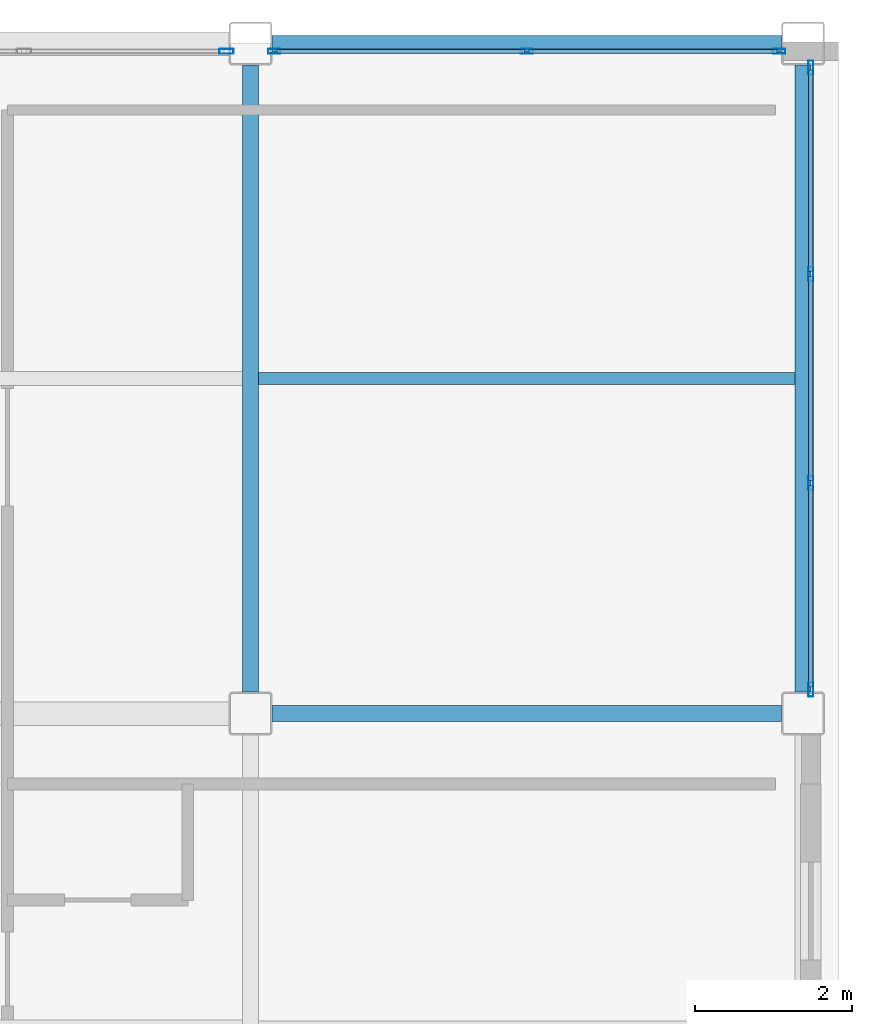
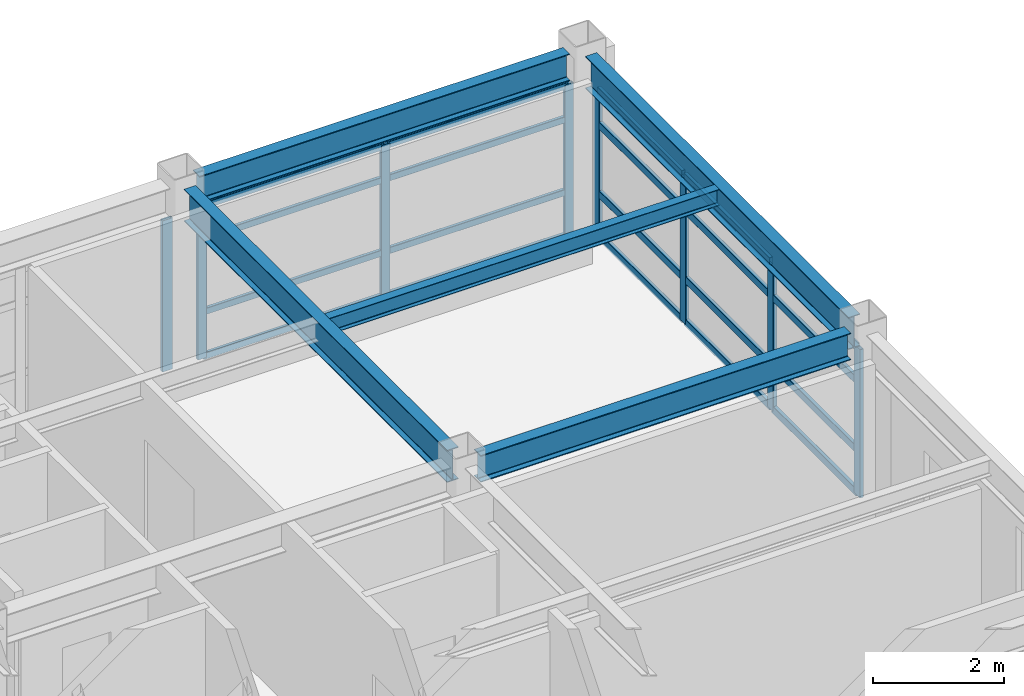
# One storey, part 20 of 38: 28 members, 5 beams, 3 elements without a shape of their own.
"""IFC4 building model written with IfcOpenShell, lengths in metres."""

from ifc_helpers import new_model, si_unit, direction, frame, origin, origin_2d, place, context, subcontext, project, spatial, hollow_rectangle, i_section, extrude, material, layer, layer_set, material_profile, profile_set, type_object, element, aggregate, save


model = new_model("IFC4")

# Units and contexts
model_context = context("Model", 3, precision=1e-05, world=origin(), true_north=direction((0.0, 1.0)))
body_context = subcontext(model_context, "Body", "Model", "MODEL_VIEW")
ifc_project = project(units=[si_unit("LENGTHUNIT", "METRE"), si_unit("AREAUNIT", "SQUARE_METRE"), si_unit("VOLUMEUNIT", "CUBIC_METRE"), si_unit("PLANEANGLEUNIT", "RADIAN"), si_unit("MASSUNIT", "GRAM", prefix="KILO")], contexts=[model_context])

# Site, building, storey
site_placement = place(None, origin())
site = spatial("IfcSite", under=ifc_project, at=site_placement, CompositionType="ELEMENT")
building_placement = place(site_placement, origin())
building = spatial("IfcBuilding", under=site, at=building_placement, Name="Kazehara Bluff Congress Hotel", CompositionType="ELEMENT")
storey_placement = place(building_placement, frame((0.0, 0.0, 24.60009765625)))
storey = spatial("IfcBuildingStorey", under=building, at=storey_placement, Name="L05", CompositionType="ELEMENT", Elevation=24.60009765625)

# Curtain wall, members
ifc_material_1 = material(Name="Anodised aluminium", Category="aluminium")
ifc_layer_1 = layer(ifc_material_1, 0.159912109375)
ifc_layer_set_1 = layer_set([ifc_layer_1], Name="Anodised aluminium")
curtain_wall_type_1 = type_object("IfcCurtainWallType", Name="TP-CW-173", PredefinedType="NOTDEFINED", material=ifc_layer_set_1)
curtain_wall_1_placement = place(storey_placement, origin())
curtain_wall_1 = element("IfcCurtainWall", 1, at=curtain_wall_1_placement, inside=storey, type_object=curtain_wall_type_1, Name="L05 curtain wall CW-173 CW-ENC-V5-L05-16402-10535", PredefinedType="NOTDEFINED")
ifc_material_2 = material(Name="Anodised aluminium", Category="aluminium")
ifc_material_profile_1 = material_profile(ifc_material_2, hollow_rectangle(XDim=0.06005859375, YDim=0.159912109375, WallThickness=0.00390625, InnerFilletRadius=0.00390625, OuterFilletRadius=0.008056640625, at=origin_2d()))
ifc_profile_set_1 = profile_set([ifc_material_profile_1], Name="Anodised aluminium")
member_type_1 = type_object("IfcMemberType", Name="TP-CWM-01", PredefinedType="MULLION", material=ifc_profile_set_1)
member_1_placement = place(storey_placement, frame((160.804931640625, 105.35009765625, 0.0), z_axis=(0.0, 0.0, 1.0), x_axis=(0.0, 1.0, 0.0)))
member_1 = element("IfcMember", 2, at=member_1_placement, type_object=member_type_1, Name="CW-173 mullion 1", PredefinedType="MULLION", context=body_context, shape_type="SweptSolid", body=[
    extrude(hollow_rectangle(XDim=0.06005859375, YDim=0.159912109375, WallThickness=0.00390625, InnerFilletRadius=0.00390625, OuterFilletRadius=0.008056640625, at=origin_2d()), origin(), (0.0, 0.0, 1.0), 2.85498046875),
])
member_2_placement = place(storey_placement, frame((164.02490234375, 105.35009765625, 0.0), z_axis=(0.0, 0.0, 1.0), x_axis=(0.0, 1.0, 0.0)))
member_2 = element("IfcMember", 3, at=member_2_placement, type_object=member_type_1, Name="CW-173 mullion 2", PredefinedType="MULLION", context=body_context, shape_type="SweptSolid", body=[
    extrude(hollow_rectangle(XDim=0.06005859375, YDim=0.159912109375, WallThickness=0.00390625, InnerFilletRadius=0.00390625, OuterFilletRadius=0.008056640625, at=origin_2d()), origin(), (0.0, 0.0, 1.0), 2.85498046875),
])
member_3_placement = place(storey_placement, frame((167.2451171875, 105.35009765625, 0.0), z_axis=(0.0, 0.0, 1.0), x_axis=(0.0, 1.0, 0.0)))
member_3 = element("IfcMember", 4, at=member_3_placement, type_object=member_type_1, Name="CW-173 mullion 3", PredefinedType="MULLION", context=body_context, shape_type="SweptSolid", body=[
    extrude(hollow_rectangle(XDim=0.06005859375, YDim=0.159912109375, WallThickness=0.00390625, InnerFilletRadius=0.00390625, OuterFilletRadius=0.008056640625, at=origin_2d()), origin(), (0.0, 0.0, 1.0), 2.85498046875),
])

ifc_material_3 = material(Name="Anodised aluminium", Category="aluminium")
ifc_layer_2 = layer(ifc_material_3, 0.159912109375)
ifc_layer_set_2 = layer_set([ifc_layer_2], Name="Anodised aluminium")
curtain_wall_type_2 = type_object("IfcCurtainWallType", Name="TP-CW-175", PredefinedType="NOTDEFINED", material=ifc_layer_set_2)
curtain_wall_2_placement = place(storey_placement, origin())
curtain_wall_2 = element("IfcCurtainWall", 5, at=curtain_wall_2_placement, inside=storey, type_object=curtain_wall_type_2, Name="L05 curtain wall CW-175 CW-ENC-V5-L05-16765-10118", PredefinedType="NOTDEFINED")
ifc_material_4 = material(Name="Anodised aluminium", Category="aluminium")
ifc_material_profile_2 = material_profile(ifc_material_4, hollow_rectangle(XDim=0.06494140625, YDim=0.179931640625, WallThickness=0.00390625, InnerFilletRadius=0.00390625, OuterFilletRadius=0.008056640625, at=origin_2d()))
ifc_profile_set_2 = profile_set([ifc_material_profile_2], Name="Anodised aluminium")
member_type_2 = type_object("IfcMemberType", Name="TP-CWM-02", PredefinedType="MULLION", material=ifc_profile_set_2)
member_4_placement = place(storey_placement, frame((167.64990234375, 105.142578125, 0.0), z_axis=(0.0, 0.0, 1.0), x_axis=(1.0, 0.0, 0.0)))
member_4 = element("IfcMember", 6, at=member_4_placement, type_object=member_type_2, Name="CW-175 mullion 1", PredefinedType="MULLION", context=body_context, shape_type="SweptSolid", body=[
    extrude(hollow_rectangle(XDim=0.06494140625, YDim=0.179931640625, WallThickness=0.00390625, InnerFilletRadius=0.00390625, OuterFilletRadius=0.008056640625, at=origin_2d()), origin(), (0.0, 0.0, 1.0), 2.7548828125),
])
member_5_placement = place(storey_placement, frame((167.64990234375, 102.50830078125, 0.0), z_axis=(0.0, 0.0, 1.0), x_axis=(1.0, 0.0, 0.0)))
member_5 = element("IfcMember", 7, at=member_5_placement, type_object=member_type_2, Name="CW-175 mullion 2", PredefinedType="MULLION", context=body_context, shape_type="SweptSolid", body=[
    extrude(hollow_rectangle(XDim=0.06494140625, YDim=0.179931640625, WallThickness=0.00390625, InnerFilletRadius=0.00390625, OuterFilletRadius=0.008056640625, at=origin_2d()), origin(), (0.0, 0.0, 1.0), 2.7548828125),
])
member_6_placement = place(storey_placement, frame((167.64990234375, 99.841552734375, 0.0), z_axis=(0.0, 0.0, 1.0), x_axis=(1.0, 0.0, 0.0)))
member_6 = element("IfcMember", 8, at=member_6_placement, type_object=member_type_2, Name="CW-175 mullion 3", PredefinedType="MULLION", context=body_context, shape_type="SweptSolid", body=[
    extrude(hollow_rectangle(XDim=0.06494140625, YDim=0.179931640625, WallThickness=0.00390625, InnerFilletRadius=0.00390625, OuterFilletRadius=0.008056640625, at=origin_2d()), origin(), (0.0, 0.0, 1.0), 2.7548828125),
])
member_7_placement = place(storey_placement, frame((167.64990234375, 97.20751953125, 0.0), z_axis=(0.0, 0.0, 1.0), x_axis=(1.0, 0.0, 0.0)))
member_7 = element("IfcMember", 9, at=member_7_placement, type_object=member_type_2, Name="CW-175 mullion 4", PredefinedType="MULLION", context=body_context, shape_type="SweptSolid", body=[
    extrude(hollow_rectangle(XDim=0.06494140625, YDim=0.179931640625, WallThickness=0.00390625, InnerFilletRadius=0.00390625, OuterFilletRadius=0.008056640625, at=origin_2d()), origin(), (0.0, 0.0, 1.0), 2.7548828125),
])

# Curtain wall, member
ifc_material_5 = material(Name="Anodised aluminium", Category="aluminium")
ifc_layer_3 = layer(ifc_material_5, 0.159912109375)
ifc_layer_set_3 = layer_set([ifc_layer_3], Name="Anodised aluminium")
curtain_wall_type_3 = type_object("IfcCurtainWallType", Name="TP-CW-172", PredefinedType="NOTDEFINED", material=ifc_layer_set_3)
curtain_wall_3_placement = place(storey_placement, origin())
curtain_wall_3 = element("IfcCurtainWall", 10, at=curtain_wall_3_placement, inside=storey, type_object=curtain_wall_type_3, Name="L05 curtain wall CW-172 CW-ENC-V5-L05-15630-10535", PredefinedType="NOTDEFINED")
member_8_placement = place(storey_placement, frame((160.1923828125, 105.35009765625, 0.0), z_axis=(0.0, 0.0, 1.0), x_axis=(0.0, 1.0, 0.0)))
member_8 = element("IfcMember", 11, at=member_8_placement, type_object=member_type_2, Name="CW-172 mullion 4", PredefinedType="MULLION", context=body_context, shape_type="SweptSolid", body=[
    extrude(hollow_rectangle(XDim=0.06494140625, YDim=0.179931640625, WallThickness=0.00390625, InnerFilletRadius=0.00390625, OuterFilletRadius=0.008056640625, at=origin_2d()), origin(), (0.0, 0.0, 1.0), 2.804931640625),
])
aggregate(curtain_wall_3, [member_8])

# Member
ifc_material_6 = material(Name="Anodised aluminium", Category="aluminium")
ifc_material_profile_3 = material_profile(ifc_material_6, hollow_rectangle(XDim=0.06005859375, YDim=0.1201171875, WallThickness=0.00390625, InnerFilletRadius=0.00390625, OuterFilletRadius=0.008056640625, at=origin_2d()))
ifc_profile_set_3 = profile_set([ifc_material_profile_3], Name="Anodised aluminium")
member_type_3 = type_object("IfcMemberType", Name="TP-CWT-01", PredefinedType="USERDEFINED", material=ifc_profile_set_3)
member_9_placement = place(storey_placement, frame((160.8349609375, 105.35009765625, 0.02978515625), z_axis=(1.0, 0.0, 0.0), x_axis=(0.0, 1.0, 0.0)))
member_9 = element("IfcMember", 12, at=member_9_placement, type_object=member_type_3, Name="CW-173 transom 1.1", ObjectType="TRANSOM", PredefinedType="USERDEFINED", context=body_context, shape_type="SweptSolid", body=[
    extrude(hollow_rectangle(XDim=0.06005859375, YDim=0.1201171875, WallThickness=0.00390625, InnerFilletRadius=0.00390625, OuterFilletRadius=0.008056640625, at=origin_2d()), origin(), (0.0, 0.0, 1.0), 3.16015625),
])

member_10_placement = place(storey_placement, frame((160.8349609375, 105.35009765625, 0.85498046875), z_axis=(1.0, 0.0, 0.0), x_axis=(0.0, 1.0, 0.0)))
member_10 = element("IfcMember", 13, at=member_10_placement, type_object=member_type_3, Name="CW-173 transom 1.2", ObjectType="TRANSOM", PredefinedType="USERDEFINED", context=body_context, shape_type="SweptSolid", body=[
    extrude(hollow_rectangle(XDim=0.06005859375, YDim=0.1201171875, WallThickness=0.00390625, InnerFilletRadius=0.00390625, OuterFilletRadius=0.008056640625, at=origin_2d()), origin(), (0.0, 0.0, 1.0), 3.16015625),
])

member_11_placement = place(storey_placement, frame((160.8349609375, 105.35009765625, 2.204833984375), z_axis=(1.0, 0.0, 0.0), x_axis=(0.0, 1.0, 0.0)))
member_11 = element("IfcMember", 14, at=member_11_placement, type_object=member_type_3, Name="CW-173 transom 1.3", ObjectType="TRANSOM", PredefinedType="USERDEFINED", context=body_context, shape_type="SweptSolid", body=[
    extrude(hollow_rectangle(XDim=0.06005859375, YDim=0.1201171875, WallThickness=0.00390625, InnerFilletRadius=0.00390625, OuterFilletRadius=0.008056640625, at=origin_2d()), origin(), (0.0, 0.0, 1.0), 3.16015625),
])

member_12_placement = place(storey_placement, frame((160.8349609375, 105.35009765625, 2.824951171875), z_axis=(1.0, 0.0, 0.0), x_axis=(0.0, 1.0, 0.0)))
member_12 = element("IfcMember", 15, at=member_12_placement, type_object=member_type_3, Name="CW-173 transom 1.4", ObjectType="TRANSOM", PredefinedType="USERDEFINED", context=body_context, shape_type="SweptSolid", body=[
    extrude(hollow_rectangle(XDim=0.06005859375, YDim=0.1201171875, WallThickness=0.00390625, InnerFilletRadius=0.00390625, OuterFilletRadius=0.008056640625, at=origin_2d()), origin(), (0.0, 0.0, 1.0), 3.16015625),
])

member_13_placement = place(storey_placement, frame((164.054931640625, 105.35009765625, 0.02978515625), z_axis=(1.0, 0.0, 0.0), x_axis=(0.0, 1.0, 0.0)))
member_13 = element("IfcMember", 16, at=member_13_placement, type_object=member_type_3, Name="CW-173 transom 2.1", ObjectType="TRANSOM", PredefinedType="USERDEFINED", context=body_context, shape_type="SweptSolid", body=[
    extrude(hollow_rectangle(XDim=0.06005859375, YDim=0.1201171875, WallThickness=0.00390625, InnerFilletRadius=0.00390625, OuterFilletRadius=0.008056640625, at=origin_2d()), origin(), (0.0, 0.0, 1.0), 3.16015625),
])

member_14_placement = place(storey_placement, frame((164.054931640625, 105.35009765625, 0.85498046875), z_axis=(1.0, 0.0, 0.0), x_axis=(0.0, 1.0, 0.0)))
member_14 = element("IfcMember", 17, at=member_14_placement, type_object=member_type_3, Name="CW-173 transom 2.2", ObjectType="TRANSOM", PredefinedType="USERDEFINED", context=body_context, shape_type="SweptSolid", body=[
    extrude(hollow_rectangle(XDim=0.06005859375, YDim=0.1201171875, WallThickness=0.00390625, InnerFilletRadius=0.00390625, OuterFilletRadius=0.008056640625, at=origin_2d()), origin(), (0.0, 0.0, 1.0), 3.16015625),
])

member_15_placement = place(storey_placement, frame((164.054931640625, 105.35009765625, 2.204833984375), z_axis=(1.0, 0.0, 0.0), x_axis=(0.0, 1.0, 0.0)))
member_15 = element("IfcMember", 18, at=member_15_placement, type_object=member_type_3, Name="CW-173 transom 2.3", ObjectType="TRANSOM", PredefinedType="USERDEFINED", context=body_context, shape_type="SweptSolid", body=[
    extrude(hollow_rectangle(XDim=0.06005859375, YDim=0.1201171875, WallThickness=0.00390625, InnerFilletRadius=0.00390625, OuterFilletRadius=0.008056640625, at=origin_2d()), origin(), (0.0, 0.0, 1.0), 3.16015625),
])

member_16_placement = place(storey_placement, frame((164.054931640625, 105.35009765625, 2.824951171875), z_axis=(1.0, 0.0, 0.0), x_axis=(0.0, 1.0, 0.0)))
member_16 = element("IfcMember", 19, at=member_16_placement, type_object=member_type_3, Name="CW-173 transom 2.4", ObjectType="TRANSOM", PredefinedType="USERDEFINED", context=body_context, shape_type="SweptSolid", body=[
    extrude(hollow_rectangle(XDim=0.06005859375, YDim=0.1201171875, WallThickness=0.00390625, InnerFilletRadius=0.00390625, OuterFilletRadius=0.008056640625, at=origin_2d()), origin(), (0.0, 0.0, 1.0), 3.16015625),
])

aggregate(curtain_wall_1, [member_1, member_2, member_3, member_9, member_10, member_11, member_12, member_13, member_14, member_15, member_16])

ifc_material_7 = material(Name="Anodised aluminium", Category="aluminium")
ifc_material_profile_4 = material_profile(ifc_material_7, hollow_rectangle(XDim=0.06494140625, YDim=0.139892578125, WallThickness=0.00390625, InnerFilletRadius=0.00390625, OuterFilletRadius=0.008056640625, at=origin_2d()))
ifc_profile_set_4 = profile_set([ifc_material_profile_4], Name="Anodised aluminium")
member_type_4 = type_object("IfcMemberType", Name="TP-CWT-02", PredefinedType="USERDEFINED", material=ifc_profile_set_4)
member_17_placement = place(storey_placement, frame((167.64990234375, 105.110107421875, 0.032470703125), z_axis=(0.0, -1.0, 0.0), x_axis=(1.0, 0.0, 0.0)))
member_17 = element("IfcMember", 20, at=member_17_placement, type_object=member_type_4, Name="CW-175 transom 1.1", ObjectType="TRANSOM", PredefinedType="USERDEFINED", context=body_context, shape_type="SweptSolid", body=[
    extrude(hollow_rectangle(XDim=0.06494140625, YDim=0.139892578125, WallThickness=0.00390625, InnerFilletRadius=0.00390625, OuterFilletRadius=0.008056640625, at=origin_2d()), origin(), (0.0, 0.0, 1.0), 2.5693359375),
])

member_18_placement = place(storey_placement, frame((167.64990234375, 105.110107421875, 0.824951171875), z_axis=(0.0, -1.0, 0.0), x_axis=(1.0, 0.0, 0.0)))
member_18 = element("IfcMember", 21, at=member_18_placement, type_object=member_type_4, Name="CW-175 transom 1.2", ObjectType="TRANSOM", PredefinedType="USERDEFINED", context=body_context, shape_type="SweptSolid", body=[
    extrude(hollow_rectangle(XDim=0.06494140625, YDim=0.139892578125, WallThickness=0.00390625, InnerFilletRadius=0.00390625, OuterFilletRadius=0.008056640625, at=origin_2d()), origin(), (0.0, 0.0, 1.0), 2.5693359375),
])

member_19_placement = place(storey_placement, frame((167.64990234375, 105.110107421875, 2.10498046875), z_axis=(0.0, -1.0, 0.0), x_axis=(1.0, 0.0, 0.0)))
member_19 = element("IfcMember", 22, at=member_19_placement, type_object=member_type_4, Name="CW-175 transom 1.3", ObjectType="TRANSOM", PredefinedType="USERDEFINED", context=body_context, shape_type="SweptSolid", body=[
    extrude(hollow_rectangle(XDim=0.06494140625, YDim=0.139892578125, WallThickness=0.00390625, InnerFilletRadius=0.00390625, OuterFilletRadius=0.008056640625, at=origin_2d()), origin(), (0.0, 0.0, 1.0), 2.5693359375),
])

member_20_placement = place(storey_placement, frame((167.64990234375, 105.110107421875, 2.722412109375), z_axis=(0.0, -1.0, 0.0), x_axis=(1.0, 0.0, 0.0)))
member_20 = element("IfcMember", 23, at=member_20_placement, type_object=member_type_4, Name="CW-175 transom 1.4", ObjectType="TRANSOM", PredefinedType="USERDEFINED", context=body_context, shape_type="SweptSolid", body=[
    extrude(hollow_rectangle(XDim=0.06494140625, YDim=0.139892578125, WallThickness=0.00390625, InnerFilletRadius=0.00390625, OuterFilletRadius=0.008056640625, at=origin_2d()), origin(), (0.0, 0.0, 1.0), 2.5693359375),
])

member_21_placement = place(storey_placement, frame((167.64990234375, 102.475830078125, 0.032470703125), z_axis=(0.0, -1.0, 0.0), x_axis=(1.0, 0.0, 0.0)))
member_21 = element("IfcMember", 24, at=member_21_placement, type_object=member_type_4, Name="CW-175 transom 2.1", ObjectType="TRANSOM", PredefinedType="USERDEFINED", context=body_context, shape_type="SweptSolid", body=[
    extrude(hollow_rectangle(XDim=0.06494140625, YDim=0.139892578125, WallThickness=0.00390625, InnerFilletRadius=0.00390625, OuterFilletRadius=0.008056640625, at=origin_2d()), origin(), (0.0, 0.0, 1.0), 2.6015625),
])

member_22_placement = place(storey_placement, frame((167.64990234375, 102.475830078125, 0.824951171875), z_axis=(0.0, -1.0, 0.0), x_axis=(1.0, 0.0, 0.0)))
member_22 = element("IfcMember", 25, at=member_22_placement, type_object=member_type_4, Name="CW-175 transom 2.2", ObjectType="TRANSOM", PredefinedType="USERDEFINED", context=body_context, shape_type="SweptSolid", body=[
    extrude(hollow_rectangle(XDim=0.06494140625, YDim=0.139892578125, WallThickness=0.00390625, InnerFilletRadius=0.00390625, OuterFilletRadius=0.008056640625, at=origin_2d()), origin(), (0.0, 0.0, 1.0), 2.6015625),
])

member_23_placement = place(storey_placement, frame((167.64990234375, 102.475830078125, 2.10498046875), z_axis=(0.0, -1.0, 0.0), x_axis=(1.0, 0.0, 0.0)))
member_23 = element("IfcMember", 26, at=member_23_placement, type_object=member_type_4, Name="CW-175 transom 2.3", ObjectType="TRANSOM", PredefinedType="USERDEFINED", context=body_context, shape_type="SweptSolid", body=[
    extrude(hollow_rectangle(XDim=0.06494140625, YDim=0.139892578125, WallThickness=0.00390625, InnerFilletRadius=0.00390625, OuterFilletRadius=0.008056640625, at=origin_2d()), origin(), (0.0, 0.0, 1.0), 2.6015625),
])

member_24_placement = place(storey_placement, frame((167.64990234375, 102.475830078125, 2.722412109375), z_axis=(0.0, -1.0, 0.0), x_axis=(1.0, 0.0, 0.0)))
member_24 = element("IfcMember", 27, at=member_24_placement, type_object=member_type_4, Name="CW-175 transom 2.4", ObjectType="TRANSOM", PredefinedType="USERDEFINED", context=body_context, shape_type="SweptSolid", body=[
    extrude(hollow_rectangle(XDim=0.06494140625, YDim=0.139892578125, WallThickness=0.00390625, InnerFilletRadius=0.00390625, OuterFilletRadius=0.008056640625, at=origin_2d()), origin(), (0.0, 0.0, 1.0), 2.6015625),
])

member_25_placement = place(storey_placement, frame((167.64990234375, 99.80908203125, 0.032470703125), z_axis=(0.0, -1.0, 0.0), x_axis=(1.0, 0.0, 0.0)))
member_25 = element("IfcMember", 28, at=member_25_placement, type_object=member_type_4, Name="CW-175 transom 3.1", ObjectType="TRANSOM", PredefinedType="USERDEFINED", context=body_context, shape_type="SweptSolid", body=[
    extrude(hollow_rectangle(XDim=0.06494140625, YDim=0.139892578125, WallThickness=0.00390625, InnerFilletRadius=0.00390625, OuterFilletRadius=0.008056640625, at=origin_2d()), origin(), (0.0, 0.0, 1.0), 2.569091796875),
])

member_26_placement = place(storey_placement, frame((167.64990234375, 99.80908203125, 0.824951171875), z_axis=(0.0, -1.0, 0.0), x_axis=(1.0, 0.0, 0.0)))
member_26 = element("IfcMember", 29, at=member_26_placement, type_object=member_type_4, Name="CW-175 transom 3.2", ObjectType="TRANSOM", PredefinedType="USERDEFINED", context=body_context, shape_type="SweptSolid", body=[
    extrude(hollow_rectangle(XDim=0.06494140625, YDim=0.139892578125, WallThickness=0.00390625, InnerFilletRadius=0.00390625, OuterFilletRadius=0.008056640625, at=origin_2d()), origin(), (0.0, 0.0, 1.0), 2.569091796875),
])

member_27_placement = place(storey_placement, frame((167.64990234375, 99.80908203125, 2.10498046875), z_axis=(0.0, -1.0, 0.0), x_axis=(1.0, 0.0, 0.0)))
member_27 = element("IfcMember", 30, at=member_27_placement, type_object=member_type_4, Name="CW-175 transom 3.3", ObjectType="TRANSOM", PredefinedType="USERDEFINED", context=body_context, shape_type="SweptSolid", body=[
    extrude(hollow_rectangle(XDim=0.06494140625, YDim=0.139892578125, WallThickness=0.00390625, InnerFilletRadius=0.00390625, OuterFilletRadius=0.008056640625, at=origin_2d()), origin(), (0.0, 0.0, 1.0), 2.569091796875),
])

member_28_placement = place(storey_placement, frame((167.64990234375, 99.80908203125, 2.722412109375), z_axis=(0.0, -1.0, 0.0), x_axis=(1.0, 0.0, 0.0)))
member_28 = element("IfcMember", 31, at=member_28_placement, type_object=member_type_4, Name="CW-175 transom 3.4", ObjectType="TRANSOM", PredefinedType="USERDEFINED", context=body_context, shape_type="SweptSolid", body=[
    extrude(hollow_rectangle(XDim=0.06494140625, YDim=0.139892578125, WallThickness=0.00390625, InnerFilletRadius=0.00390625, OuterFilletRadius=0.008056640625, at=origin_2d()), origin(), (0.0, 0.0, 1.0), 2.569091796875),
])

aggregate(curtain_wall_2, [member_4, member_5, member_6, member_7, member_17, member_18, member_19, member_20, member_21, member_22, member_23, member_24, member_25, member_26, member_27, member_28])

# Beams
ifc_material_8 = material(Name="Steel SN490B", Category="steel")
ifc_material_profile_5 = material_profile(ifc_material_8, i_section(OverallWidth=0.199951171875, OverallDepth=0.5, WebThickness=0.010009765625, FlangeThickness=0.01611328125, FilletRadius=0.012939453125, at=origin_2d()))
ifc_profile_set_5 = profile_set([ifc_material_profile_5], Name="Steel SN490B")
beam_type_1 = type_object("IfcBeamType", Name="TP-G-01", PredefinedType="BEAM", material=ifc_profile_set_5)
for number, where, z_axis, x_axis, name in (
    (32, (160.77490234375, 96.89990234375, 3.1298828125), (1.0, 0.0, 0.0), (0.0, 1.0, 0.0), "L05 girder G-01 78"),
    (33, (160.77490234375, 105.449951171875, 3.1298828125), (1.0, 0.0, 0.0), (0.0, 1.0, 0.0), "L05 girder G-01 81"),
):
    element("IfcBeam", number, at=place(storey_placement, frame(where, z_axis=z_axis, x_axis=x_axis)), inside=storey, type_object=beam_type_1, Name=name, PredefinedType="BEAM", context=body_context, shape_type="SweptSolid", body=[
        extrude(i_section(OverallWidth=0.199951171875, OverallDepth=0.5, WebThickness=0.010009765625, FlangeThickness=0.01611328125, FilletRadius=0.012939453125, at=origin_2d()), origin(), (0.0, 0.0, 1.0), 6.5),
    ])
ifc_material_9 = material(Name="Steel SN490B", Category="steel")
ifc_material_profile_6 = material_profile(ifc_material_9, i_section(OverallWidth=0.199951171875, OverallDepth=0.60009765625, WebThickness=0.010986328125, FlangeThickness=0.01708984375, FilletRadius=0.012939453125, at=origin_2d()))
ifc_profile_set_6 = profile_set([ifc_material_profile_6], Name="Steel SN490B")
beam_type_2 = type_object("IfcBeamType", Name="TP-G-02", PredefinedType="BEAM", material=ifc_profile_set_6)
for number, where, z_axis, x_axis, name in (
    (34, (160.5, 97.175048828125, 3.079833984375), (0.0, 1.0, 0.0), (-1.0, 0.0, 0.0), "L05 girder G-02 33"),
    (35, (167.550048828125, 97.175048828125, 3.079833984375), (0.0, 1.0, 0.0), (-1.0, 0.0, 0.0), "L05 girder G-02 43"),
):
    element("IfcBeam", number, at=place(storey_placement, frame(where, z_axis=z_axis, x_axis=x_axis)), inside=storey, type_object=beam_type_2, Name=name, PredefinedType="BEAM", context=body_context, shape_type="SweptSolid", body=[
        extrude(i_section(OverallWidth=0.199951171875, OverallDepth=0.60009765625, WebThickness=0.010986328125, FlangeThickness=0.01708984375, FilletRadius=0.012939453125, at=origin_2d()), origin(), (0.0, 0.0, 1.0), 8.0),
    ])
ifc_material_10 = material(Name="Steel SN400B", Category="steel")
ifc_material_profile_7 = material_profile(ifc_material_10, i_section(OverallWidth=0.14990234375, OverallDepth=0.300048828125, WebThickness=0.006591796875, FlangeThickness=0.009033203125, FilletRadius=0.012939453125, at=origin_2d()))
ifc_profile_set_7 = profile_set([ifc_material_profile_7], Name="Steel SN400B")
beam_type_3 = type_object("IfcBeamType", Name="TP-J-01", PredefinedType="JOIST", material=ifc_profile_set_7)
beam_placement = place(storey_placement, frame((160.60009765625, 101.175048828125, 3.22998046875), z_axis=(1.0, 0.0, 0.0), x_axis=(0.0, 1.0, 0.0)))
element("IfcBeam", 36, at=beam_placement, inside=storey, type_object=beam_type_3, Name="L05 secondary joist J-01 26", PredefinedType="JOIST", context=body_context, shape_type="SweptSolid", body=[
    extrude(i_section(OverallWidth=0.14990234375, OverallDepth=0.300048828125, WebThickness=0.006591796875, FlangeThickness=0.009033203125, FilletRadius=0.012939453125, at=origin_2d()), origin(), (0.0, 0.0, 1.0), 6.849853515625),
])

save(model, "model.ifc")
